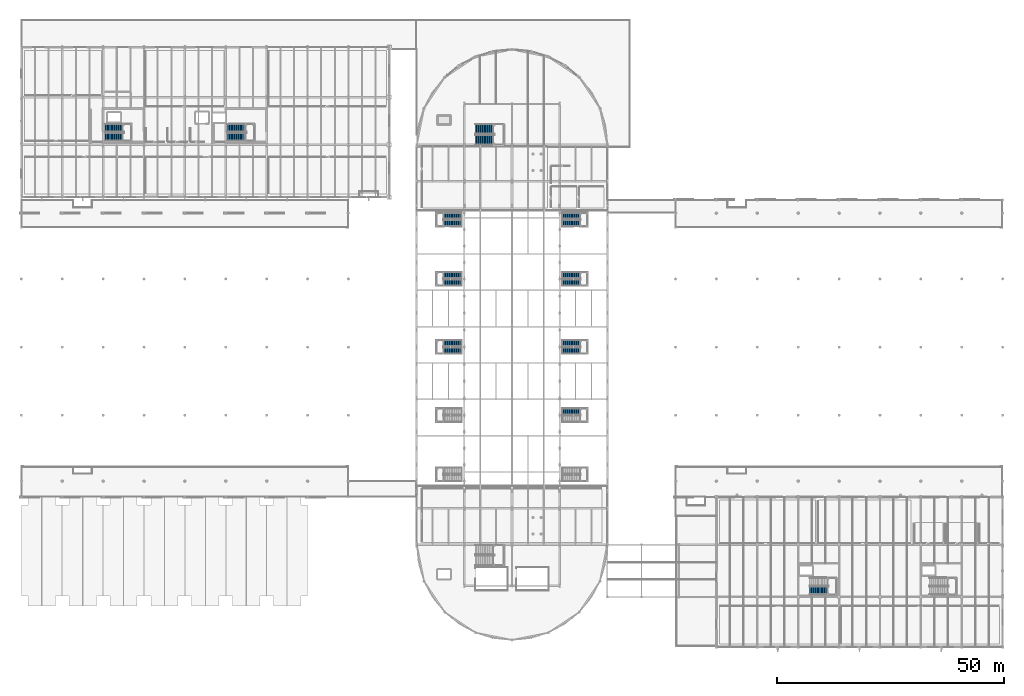
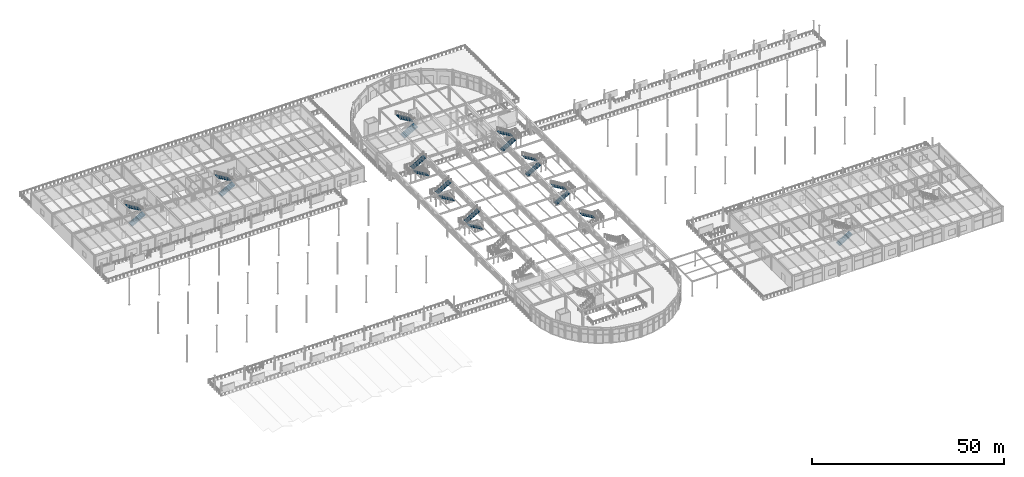
# One storey, part 90 of 143: 20 stair flights, 11 elements without a shape of their own.
"""IFC4 building model written with IfcOpenShell, lengths in metres."""

from ifc_helpers import new_model, si_unit, direction, frame, origin, place, context, subcontext, project, spatial, polyline, outline, extrude, material, type_object, element, aggregate, save


model = new_model("IFC4")

# Units and contexts
model_context = context("Model", 3, precision=1e-05, world=origin(), true_north=direction((0.0, 1.0)))
body_context = subcontext(model_context, "Body", "Model", "MODEL_VIEW")
ifc_project = project(units=[si_unit("LENGTHUNIT", "METRE"), si_unit("AREAUNIT", "SQUARE_METRE"), si_unit("VOLUMEUNIT", "CUBIC_METRE"), si_unit("PLANEANGLEUNIT", "RADIAN"), si_unit("MASSUNIT", "GRAM", prefix="KILO")], contexts=[model_context])

# Site, building, storey
site_placement = place(None, origin())
site = spatial("IfcSite", under=ifc_project, at=site_placement, CompositionType="ELEMENT")
building_placement = place(site_placement, origin())
building = spatial("IfcBuilding", under=site, at=building_placement, Name="Marlcrest Central Station", CompositionType="ELEMENT")
storey_placement = place(building_placement, frame((0.0, 0.0, 4.800048828125)))
storey = spatial("IfcBuildingStorey", under=building, at=storey_placement, Name="L01", CompositionType="ELEMENT", Elevation=4.800048828125)

# Stair, stair flight
ifc_material = material(Name="Concrete C35/45", Category="concrete")
stair_type_1 = type_object("IfcStairType", Name="ST-HTP", PredefinedType="HALF_TURN_STAIR", material=ifc_material)
stair_1_placement = place(storey_placement, origin())
stair_1 = element("IfcStair", 1, at=stair_1_placement, inside=storey, type_object=stair_type_1, Name="ST-P2EU", PredefinedType="HALF_TURN_STAIR")
stair_flight_type_1 = type_object("IfcStairFlightType", Name="SF-145", PredefinedType="STRAIGHT", material=ifc_material)
stair_flight_1_placement = place(storey_placement, frame((123.06005859375, 51.804931640625, 2.5), z_axis=(0.0, 0.0, 1.0), x_axis=(-1.0, 0.0, 0.0)))
stair_flight_1 = element("IfcStairFlight", 2, at=stair_flight_1_placement, type_object=stair_flight_type_1, Name="ST-P2EU-F2", NumberOfRisers=15, NumberOfTreads=14, PredefinedType="STRAIGHT", RiserHeight=0.166667, TreadLength=0.285, context=body_context, shape_type="SweptSolid", body=[
    extrude(outline(polyline([(0.0, 0.0), (0.0, 0.166748046875), (0.284912109375, 0.166748046875), (0.284912109375, 0.333251953125), (0.570068359375, 0.333251953125), (0.570068359375, 0.5), (0.85498046875, 0.5), (0.85498046875, 0.666748046875), (1.139892578125, 0.666748046875), (1.139892578125, 0.833251953125), (1.425048828125, 0.833251953125), (1.425048828125, 1.0), (1.7099609375, 1.0), (1.7099609375, 1.166748046875), (1.9951171875, 1.166748046875), (1.9951171875, 1.333251953125), (2.280029296875, 1.333251953125), (2.280029296875, 1.5), (2.56494140625, 1.5), (2.56494140625, 1.666748046875), (2.85009765625, 1.666748046875), (2.85009765625, 1.833251953125), (3.135009765625, 1.833251953125), (3.135009765625, 2.0), (3.419921875, 2.0), (3.419921875, 2.166748046875), (3.705078125, 2.166748046875), (3.705078125, 2.333251953125), (3.989990234375, 2.333251953125), (3.989990234375, 2.5), (3.989990234375, 2.148193359375), (0.31689453125, 0.0), (0.0, 0.0)])), frame((0.0, 0.72509765625, 0.0), z_axis=(0.0, -1.0, 0.0), x_axis=(1.0, 0.0, 0.0)), (0.0, 0.0, 1.0), 1.449951171875),
])
aggregate(stair_1, [stair_flight_1])

# Stair, stair flights
stair_2_placement = place(storey_placement, origin())
stair_2 = element("IfcStair", 3, at=stair_2_placement, inside=storey, type_object=stair_type_1, Name="ST-P3WU", PredefinedType="HALF_TURN_STAIR")
stair_flight_2_placement = place(storey_placement, frame((96.929931640625, 65.195068359375, 0.0), z_axis=(0.0, 0.0, 1.0), x_axis=(-1.0, 0.0, 0.0)))
stair_flight_2 = element("IfcStairFlight", 4, at=stair_flight_2_placement, type_object=stair_flight_type_1, Name="ST-P3WU-F1", NumberOfRisers=15, NumberOfTreads=14, PredefinedType="STRAIGHT", RiserHeight=0.166667, TreadLength=0.285, context=body_context, shape_type="SweptSolid", body=[
    extrude(outline(polyline([(0.0, 0.0), (0.0, 0.166748046875), (0.284912109375, 0.166748046875), (0.284912109375, 0.333251953125), (0.570068359375, 0.333251953125), (0.570068359375, 0.5), (0.85498046875, 0.5), (0.85498046875, 0.666748046875), (1.139892578125, 0.666748046875), (1.139892578125, 0.833251953125), (1.425048828125, 0.833251953125), (1.425048828125, 1.0), (1.7099609375, 1.0), (1.7099609375, 1.166748046875), (1.9951171875, 1.166748046875), (1.9951171875, 1.333251953125), (2.280029296875, 1.333251953125), (2.280029296875, 1.5), (2.56494140625, 1.5), (2.56494140625, 1.666748046875), (2.85009765625, 1.666748046875), (2.85009765625, 1.833251953125), (3.135009765625, 1.833251953125), (3.135009765625, 2.0), (3.419921875, 2.0), (3.419921875, 2.166748046875), (3.705078125, 2.166748046875), (3.705078125, 2.333251953125), (3.989990234375, 2.333251953125), (3.989990234375, 2.5), (3.989990234375, 2.148193359375), (0.31689453125, 0.0), (0.0, 0.0)])), frame((0.0, 0.72509765625, 0.0), z_axis=(0.0, -1.0, 0.0), x_axis=(1.0, 0.0, 0.0)), (0.0, 0.0, 1.0), 1.449951171875),
])
stair_flight_3_placement = place(storey_placement, frame((92.93994140625, 66.804931640625, 2.5), z_axis=(0.0, 0.0, 1.0), x_axis=(1.0, 0.0, 0.0)))
stair_flight_3 = element("IfcStairFlight", 5, at=stair_flight_3_placement, type_object=stair_flight_type_1, Name="ST-P3WU-F2", NumberOfRisers=15, NumberOfTreads=14, PredefinedType="STRAIGHT", RiserHeight=0.166667, TreadLength=0.285, context=body_context, shape_type="SweptSolid", body=[
    extrude(outline(polyline([(0.0, 0.0), (0.0, 0.166748046875), (0.284912109375, 0.166748046875), (0.284912109375, 0.333251953125), (0.570068359375, 0.333251953125), (0.570068359375, 0.5), (0.85498046875, 0.5), (0.85498046875, 0.666748046875), (1.139892578125, 0.666748046875), (1.139892578125, 0.833251953125), (1.425048828125, 0.833251953125), (1.425048828125, 1.0), (1.7099609375, 1.0), (1.7099609375, 1.166748046875), (1.9951171875, 1.166748046875), (1.9951171875, 1.333251953125), (2.280029296875, 1.333251953125), (2.280029296875, 1.5), (2.56494140625, 1.5), (2.56494140625, 1.666748046875), (2.85009765625, 1.666748046875), (2.85009765625, 1.833251953125), (3.135009765625, 1.833251953125), (3.135009765625, 2.0), (3.419921875, 2.0), (3.419921875, 2.166748046875), (3.705078125, 2.166748046875), (3.705078125, 2.333251953125), (3.989990234375, 2.333251953125), (3.989990234375, 2.5), (3.989990234375, 2.148193359375), (0.31689453125, 0.0), (0.0, 0.0)])), frame((0.0, 0.72509765625, 0.0), z_axis=(0.0, -1.0, 0.0), x_axis=(1.0, 0.0, 0.0)), (0.0, 0.0, 1.0), 1.449951171875),
])
aggregate(stair_2, [stair_flight_2, stair_flight_3])

stair_3_placement = place(storey_placement, origin())
stair_3 = element("IfcStair", 6, at=stair_3_placement, inside=storey, type_object=stair_type_1, Name="ST-P3EU", PredefinedType="HALF_TURN_STAIR")
stair_flight_4_placement = place(storey_placement, frame((119.070068359375, 65.195068359375, 0.0), z_axis=(0.0, 0.0, 1.0), x_axis=(1.0, 0.0, 0.0)))
stair_flight_4 = element("IfcStairFlight", 7, at=stair_flight_4_placement, type_object=stair_flight_type_1, Name="ST-P3EU-F1", NumberOfRisers=15, NumberOfTreads=14, PredefinedType="STRAIGHT", RiserHeight=0.166667, TreadLength=0.285, context=body_context, shape_type="SweptSolid", body=[
    extrude(outline(polyline([(0.0, 0.0), (0.0, 0.166748046875), (0.284912109375, 0.166748046875), (0.284912109375, 0.333251953125), (0.570068359375, 0.333251953125), (0.570068359375, 0.5), (0.85498046875, 0.5), (0.85498046875, 0.666748046875), (1.139892578125, 0.666748046875), (1.139892578125, 0.833251953125), (1.425048828125, 0.833251953125), (1.425048828125, 1.0), (1.7099609375, 1.0), (1.7099609375, 1.166748046875), (1.9951171875, 1.166748046875), (1.9951171875, 1.333251953125), (2.280029296875, 1.333251953125), (2.280029296875, 1.5), (2.56494140625, 1.5), (2.56494140625, 1.666748046875), (2.85009765625, 1.666748046875), (2.85009765625, 1.833251953125), (3.135009765625, 1.833251953125), (3.135009765625, 2.0), (3.419921875, 2.0), (3.419921875, 2.166748046875), (3.705078125, 2.166748046875), (3.705078125, 2.333251953125), (3.989990234375, 2.333251953125), (3.989990234375, 2.5), (3.989990234375, 2.148193359375), (0.31689453125, 0.0), (0.0, 0.0)])), frame((0.0, 0.72509765625, 0.0), z_axis=(0.0, -1.0, 0.0), x_axis=(1.0, 0.0, 0.0)), (0.0, 0.0, 1.0), 1.449951171875),
])
stair_flight_5_placement = place(storey_placement, frame((123.06005859375, 66.804931640625, 2.5), z_axis=(0.0, 0.0, 1.0), x_axis=(-1.0, 0.0, 0.0)))
stair_flight_5 = element("IfcStairFlight", 8, at=stair_flight_5_placement, type_object=stair_flight_type_1, Name="ST-P3EU-F2", NumberOfRisers=15, NumberOfTreads=14, PredefinedType="STRAIGHT", RiserHeight=0.166667, TreadLength=0.285, context=body_context, shape_type="SweptSolid", body=[
    extrude(outline(polyline([(0.0, 0.0), (0.0, 0.166748046875), (0.284912109375, 0.166748046875), (0.284912109375, 0.333251953125), (0.570068359375, 0.333251953125), (0.570068359375, 0.5), (0.85498046875, 0.5), (0.85498046875, 0.666748046875), (1.139892578125, 0.666748046875), (1.139892578125, 0.833251953125), (1.425048828125, 0.833251953125), (1.425048828125, 1.0), (1.7099609375, 1.0), (1.7099609375, 1.166748046875), (1.9951171875, 1.166748046875), (1.9951171875, 1.333251953125), (2.280029296875, 1.333251953125), (2.280029296875, 1.5), (2.56494140625, 1.5), (2.56494140625, 1.666748046875), (2.85009765625, 1.666748046875), (2.85009765625, 1.833251953125), (3.135009765625, 1.833251953125), (3.135009765625, 2.0), (3.419921875, 2.0), (3.419921875, 2.166748046875), (3.705078125, 2.166748046875), (3.705078125, 2.333251953125), (3.989990234375, 2.333251953125), (3.989990234375, 2.5), (3.989990234375, 2.148193359375), (0.31689453125, 0.0), (0.0, 0.0)])), frame((0.0, 0.72509765625, 0.0), z_axis=(0.0, -1.0, 0.0), x_axis=(1.0, 0.0, 0.0)), (0.0, 0.0, 1.0), 1.449951171875),
])
aggregate(stair_3, [stair_flight_4, stair_flight_5])

stair_4_placement = place(storey_placement, origin())
stair_4 = element("IfcStair", 9, at=stair_4_placement, inside=storey, type_object=stair_type_1, Name="ST-P4WU", PredefinedType="HALF_TURN_STAIR")
stair_flight_6_placement = place(storey_placement, frame((96.929931640625, 80.195068359375, 0.0), z_axis=(0.0, 0.0, 1.0), x_axis=(-1.0, 0.0, 0.0)))
stair_flight_6 = element("IfcStairFlight", 10, at=stair_flight_6_placement, type_object=stair_flight_type_1, Name="ST-P4WU-F1", NumberOfRisers=15, NumberOfTreads=14, PredefinedType="STRAIGHT", RiserHeight=0.166667, TreadLength=0.285, context=body_context, shape_type="SweptSolid", body=[
    extrude(outline(polyline([(0.0, 0.0), (0.0, 0.166748046875), (0.284912109375, 0.166748046875), (0.284912109375, 0.333251953125), (0.570068359375, 0.333251953125), (0.570068359375, 0.5), (0.85498046875, 0.5), (0.85498046875, 0.666748046875), (1.139892578125, 0.666748046875), (1.139892578125, 0.833251953125), (1.425048828125, 0.833251953125), (1.425048828125, 1.0), (1.7099609375, 1.0), (1.7099609375, 1.166748046875), (1.9951171875, 1.166748046875), (1.9951171875, 1.333251953125), (2.280029296875, 1.333251953125), (2.280029296875, 1.5), (2.56494140625, 1.5), (2.56494140625, 1.666748046875), (2.85009765625, 1.666748046875), (2.85009765625, 1.833251953125), (3.135009765625, 1.833251953125), (3.135009765625, 2.0), (3.419921875, 2.0), (3.419921875, 2.166748046875), (3.705078125, 2.166748046875), (3.705078125, 2.333251953125), (3.989990234375, 2.333251953125), (3.989990234375, 2.5), (3.989990234375, 2.148193359375), (0.31689453125, 0.0), (0.0, 0.0)])), frame((0.0, 0.72509765625, 0.0), z_axis=(0.0, -1.0, 0.0), x_axis=(1.0, 0.0, 0.0)), (0.0, 0.0, 1.0), 1.449951171875),
])
stair_flight_7_placement = place(storey_placement, frame((92.93994140625, 81.804931640625, 2.5), z_axis=(0.0, 0.0, 1.0), x_axis=(1.0, 0.0, 0.0)))
stair_flight_7 = element("IfcStairFlight", 11, at=stair_flight_7_placement, type_object=stair_flight_type_1, Name="ST-P4WU-F2", NumberOfRisers=15, NumberOfTreads=14, PredefinedType="STRAIGHT", RiserHeight=0.166667, TreadLength=0.285, context=body_context, shape_type="SweptSolid", body=[
    extrude(outline(polyline([(0.0, 0.0), (0.0, 0.166748046875), (0.284912109375, 0.166748046875), (0.284912109375, 0.333251953125), (0.570068359375, 0.333251953125), (0.570068359375, 0.5), (0.85498046875, 0.5), (0.85498046875, 0.666748046875), (1.139892578125, 0.666748046875), (1.139892578125, 0.833251953125), (1.425048828125, 0.833251953125), (1.425048828125, 1.0), (1.7099609375, 1.0), (1.7099609375, 1.166748046875), (1.9951171875, 1.166748046875), (1.9951171875, 1.333251953125), (2.280029296875, 1.333251953125), (2.280029296875, 1.5), (2.56494140625, 1.5), (2.56494140625, 1.666748046875), (2.85009765625, 1.666748046875), (2.85009765625, 1.833251953125), (3.135009765625, 1.833251953125), (3.135009765625, 2.0), (3.419921875, 2.0), (3.419921875, 2.166748046875), (3.705078125, 2.166748046875), (3.705078125, 2.333251953125), (3.989990234375, 2.333251953125), (3.989990234375, 2.5), (3.989990234375, 2.148193359375), (0.31689453125, 0.0), (0.0, 0.0)])), frame((0.0, 0.72509765625, 0.0), z_axis=(0.0, -1.0, 0.0), x_axis=(1.0, 0.0, 0.0)), (0.0, 0.0, 1.0), 1.449951171875),
])
aggregate(stair_4, [stair_flight_6, stair_flight_7])

stair_5_placement = place(storey_placement, origin())
stair_5 = element("IfcStair", 12, at=stair_5_placement, inside=storey, type_object=stair_type_1, Name="ST-P4EU", PredefinedType="HALF_TURN_STAIR")
stair_flight_8_placement = place(storey_placement, frame((119.070068359375, 80.195068359375, 0.0), z_axis=(0.0, 0.0, 1.0), x_axis=(1.0, 0.0, 0.0)))
stair_flight_8 = element("IfcStairFlight", 13, at=stair_flight_8_placement, type_object=stair_flight_type_1, Name="ST-P4EU-F1", NumberOfRisers=15, NumberOfTreads=14, PredefinedType="STRAIGHT", RiserHeight=0.166667, TreadLength=0.285, context=body_context, shape_type="SweptSolid", body=[
    extrude(outline(polyline([(0.0, 0.0), (0.0, 0.166748046875), (0.284912109375, 0.166748046875), (0.284912109375, 0.333251953125), (0.570068359375, 0.333251953125), (0.570068359375, 0.5), (0.85498046875, 0.5), (0.85498046875, 0.666748046875), (1.139892578125, 0.666748046875), (1.139892578125, 0.833251953125), (1.425048828125, 0.833251953125), (1.425048828125, 1.0), (1.7099609375, 1.0), (1.7099609375, 1.166748046875), (1.9951171875, 1.166748046875), (1.9951171875, 1.333251953125), (2.280029296875, 1.333251953125), (2.280029296875, 1.5), (2.56494140625, 1.5), (2.56494140625, 1.666748046875), (2.85009765625, 1.666748046875), (2.85009765625, 1.833251953125), (3.135009765625, 1.833251953125), (3.135009765625, 2.0), (3.419921875, 2.0), (3.419921875, 2.166748046875), (3.705078125, 2.166748046875), (3.705078125, 2.333251953125), (3.989990234375, 2.333251953125), (3.989990234375, 2.5), (3.989990234375, 2.148193359375), (0.31689453125, 0.0), (0.0, 0.0)])), frame((0.0, 0.72509765625, 0.0), z_axis=(0.0, -1.0, 0.0), x_axis=(1.0, 0.0, 0.0)), (0.0, 0.0, 1.0), 1.449951171875),
])
stair_flight_9_placement = place(storey_placement, frame((123.06005859375, 81.804931640625, 2.5), z_axis=(0.0, 0.0, 1.0), x_axis=(-1.0, 0.0, 0.0)))
stair_flight_9 = element("IfcStairFlight", 14, at=stair_flight_9_placement, type_object=stair_flight_type_1, Name="ST-P4EU-F2", NumberOfRisers=15, NumberOfTreads=14, PredefinedType="STRAIGHT", RiserHeight=0.166667, TreadLength=0.285, context=body_context, shape_type="SweptSolid", body=[
    extrude(outline(polyline([(0.0, 0.0), (0.0, 0.166748046875), (0.284912109375, 0.166748046875), (0.284912109375, 0.333251953125), (0.570068359375, 0.333251953125), (0.570068359375, 0.5), (0.85498046875, 0.5), (0.85498046875, 0.666748046875), (1.139892578125, 0.666748046875), (1.139892578125, 0.833251953125), (1.425048828125, 0.833251953125), (1.425048828125, 1.0), (1.7099609375, 1.0), (1.7099609375, 1.166748046875), (1.9951171875, 1.166748046875), (1.9951171875, 1.333251953125), (2.280029296875, 1.333251953125), (2.280029296875, 1.5), (2.56494140625, 1.5), (2.56494140625, 1.666748046875), (2.85009765625, 1.666748046875), (2.85009765625, 1.833251953125), (3.135009765625, 1.833251953125), (3.135009765625, 2.0), (3.419921875, 2.0), (3.419921875, 2.166748046875), (3.705078125, 2.166748046875), (3.705078125, 2.333251953125), (3.989990234375, 2.333251953125), (3.989990234375, 2.5), (3.989990234375, 2.148193359375), (0.31689453125, 0.0), (0.0, 0.0)])), frame((0.0, 0.72509765625, 0.0), z_axis=(0.0, -1.0, 0.0), x_axis=(1.0, 0.0, 0.0)), (0.0, 0.0, 1.0), 1.449951171875),
])
aggregate(stair_5, [stair_flight_8, stair_flight_9])

stair_6_placement = place(storey_placement, origin())
stair_6 = element("IfcStair", 15, at=stair_6_placement, inside=storey, type_object=stair_type_1, Name="ST-P5WU", PredefinedType="HALF_TURN_STAIR")
stair_flight_10_placement = place(storey_placement, frame((96.929931640625, 93.2451171875, 0.0), z_axis=(0.0, 0.0, 1.0), x_axis=(-1.0, 0.0, 0.0)))
stair_flight_10 = element("IfcStairFlight", 16, at=stair_flight_10_placement, type_object=stair_flight_type_1, Name="ST-P5WU-F1", NumberOfRisers=15, NumberOfTreads=14, PredefinedType="STRAIGHT", RiserHeight=0.166667, TreadLength=0.285, context=body_context, shape_type="SweptSolid", body=[
    extrude(outline(polyline([(0.0, 0.0), (0.0, 0.166748046875), (0.284912109375, 0.166748046875), (0.284912109375, 0.333251953125), (0.570068359375, 0.333251953125), (0.570068359375, 0.5), (0.85498046875, 0.5), (0.85498046875, 0.666748046875), (1.139892578125, 0.666748046875), (1.139892578125, 0.833251953125), (1.425048828125, 0.833251953125), (1.425048828125, 1.0), (1.7099609375, 1.0), (1.7099609375, 1.166748046875), (1.9951171875, 1.166748046875), (1.9951171875, 1.333251953125), (2.280029296875, 1.333251953125), (2.280029296875, 1.5), (2.56494140625, 1.5), (2.56494140625, 1.666748046875), (2.85009765625, 1.666748046875), (2.85009765625, 1.833251953125), (3.135009765625, 1.833251953125), (3.135009765625, 2.0), (3.419921875, 2.0), (3.419921875, 2.166748046875), (3.705078125, 2.166748046875), (3.705078125, 2.333251953125), (3.989990234375, 2.333251953125), (3.989990234375, 2.5), (3.989990234375, 2.148193359375), (0.31689453125, 0.0), (0.0, 0.0)])), frame((0.0, 0.72509765625, 0.0), z_axis=(0.0, -1.0, 0.0), x_axis=(1.0, 0.0, 0.0)), (0.0, 0.0, 1.0), 1.449951171875),
])
stair_flight_11_placement = place(storey_placement, frame((92.93994140625, 94.85498046875, 2.5), z_axis=(0.0, 0.0, 1.0), x_axis=(1.0, 0.0, 0.0)))
stair_flight_11 = element("IfcStairFlight", 17, at=stair_flight_11_placement, type_object=stair_flight_type_1, Name="ST-P5WU-F2", NumberOfRisers=15, NumberOfTreads=14, PredefinedType="STRAIGHT", RiserHeight=0.166667, TreadLength=0.285, context=body_context, shape_type="SweptSolid", body=[
    extrude(outline(polyline([(0.0, 0.0), (0.0, 0.166748046875), (0.284912109375, 0.166748046875), (0.284912109375, 0.333251953125), (0.570068359375, 0.333251953125), (0.570068359375, 0.5), (0.85498046875, 0.5), (0.85498046875, 0.666748046875), (1.139892578125, 0.666748046875), (1.139892578125, 0.833251953125), (1.425048828125, 0.833251953125), (1.425048828125, 1.0), (1.7099609375, 1.0), (1.7099609375, 1.166748046875), (1.9951171875, 1.166748046875), (1.9951171875, 1.333251953125), (2.280029296875, 1.333251953125), (2.280029296875, 1.5), (2.56494140625, 1.5), (2.56494140625, 1.666748046875), (2.85009765625, 1.666748046875), (2.85009765625, 1.833251953125), (3.135009765625, 1.833251953125), (3.135009765625, 2.0), (3.419921875, 2.0), (3.419921875, 2.166748046875), (3.705078125, 2.166748046875), (3.705078125, 2.333251953125), (3.989990234375, 2.333251953125), (3.989990234375, 2.5), (3.989990234375, 2.148193359375), (0.31689453125, 0.0), (0.0, 0.0)])), frame((0.0, 0.72509765625, 0.0), z_axis=(0.0, -1.0, 0.0), x_axis=(1.0, 0.0, 0.0)), (0.0, 0.0, 1.0), 1.449951171875),
])
aggregate(stair_6, [stair_flight_10, stair_flight_11])

stair_7_placement = place(storey_placement, origin())
stair_7 = element("IfcStair", 18, at=stair_7_placement, inside=storey, type_object=stair_type_1, Name="ST-P5EU", PredefinedType="HALF_TURN_STAIR")
stair_flight_12_placement = place(storey_placement, frame((119.070068359375, 93.2451171875, 0.0), z_axis=(0.0, 0.0, 1.0), x_axis=(1.0, 0.0, 0.0)))
stair_flight_12 = element("IfcStairFlight", 19, at=stair_flight_12_placement, type_object=stair_flight_type_1, Name="ST-P5EU-F1", NumberOfRisers=15, NumberOfTreads=14, PredefinedType="STRAIGHT", RiserHeight=0.166667, TreadLength=0.285, context=body_context, shape_type="SweptSolid", body=[
    extrude(outline(polyline([(0.0, 0.0), (0.0, 0.166748046875), (0.284912109375, 0.166748046875), (0.284912109375, 0.333251953125), (0.570068359375, 0.333251953125), (0.570068359375, 0.5), (0.85498046875, 0.5), (0.85498046875, 0.666748046875), (1.139892578125, 0.666748046875), (1.139892578125, 0.833251953125), (1.425048828125, 0.833251953125), (1.425048828125, 1.0), (1.7099609375, 1.0), (1.7099609375, 1.166748046875), (1.9951171875, 1.166748046875), (1.9951171875, 1.333251953125), (2.280029296875, 1.333251953125), (2.280029296875, 1.5), (2.56494140625, 1.5), (2.56494140625, 1.666748046875), (2.85009765625, 1.666748046875), (2.85009765625, 1.833251953125), (3.135009765625, 1.833251953125), (3.135009765625, 2.0), (3.419921875, 2.0), (3.419921875, 2.166748046875), (3.705078125, 2.166748046875), (3.705078125, 2.333251953125), (3.989990234375, 2.333251953125), (3.989990234375, 2.5), (3.989990234375, 2.148193359375), (0.31689453125, 0.0), (0.0, 0.0)])), frame((0.0, 0.72509765625, 0.0), z_axis=(0.0, -1.0, 0.0), x_axis=(1.0, 0.0, 0.0)), (0.0, 0.0, 1.0), 1.449951171875),
])
stair_flight_13_placement = place(storey_placement, frame((123.06005859375, 94.85498046875, 2.5), z_axis=(0.0, 0.0, 1.0), x_axis=(-1.0, 0.0, 0.0)))
stair_flight_13 = element("IfcStairFlight", 20, at=stair_flight_13_placement, type_object=stair_flight_type_1, Name="ST-P5EU-F2", NumberOfRisers=15, NumberOfTreads=14, PredefinedType="STRAIGHT", RiserHeight=0.166667, TreadLength=0.285, context=body_context, shape_type="SweptSolid", body=[
    extrude(outline(polyline([(0.0, 0.0), (0.0, 0.166748046875), (0.284912109375, 0.166748046875), (0.284912109375, 0.333251953125), (0.570068359375, 0.333251953125), (0.570068359375, 0.5), (0.85498046875, 0.5), (0.85498046875, 0.666748046875), (1.139892578125, 0.666748046875), (1.139892578125, 0.833251953125), (1.425048828125, 0.833251953125), (1.425048828125, 1.0), (1.7099609375, 1.0), (1.7099609375, 1.166748046875), (1.9951171875, 1.166748046875), (1.9951171875, 1.333251953125), (2.280029296875, 1.333251953125), (2.280029296875, 1.5), (2.56494140625, 1.5), (2.56494140625, 1.666748046875), (2.85009765625, 1.666748046875), (2.85009765625, 1.833251953125), (3.135009765625, 1.833251953125), (3.135009765625, 2.0), (3.419921875, 2.0), (3.419921875, 2.166748046875), (3.705078125, 2.166748046875), (3.705078125, 2.333251953125), (3.989990234375, 2.333251953125), (3.989990234375, 2.5), (3.989990234375, 2.148193359375), (0.31689453125, 0.0), (0.0, 0.0)])), frame((0.0, 0.72509765625, 0.0), z_axis=(0.0, -1.0, 0.0), x_axis=(1.0, 0.0, 0.0)), (0.0, 0.0, 1.0), 1.449951171875),
])
aggregate(stair_7, [stair_flight_12, stair_flight_13])

# Stair, stair flight
stair_type_2 = type_object("IfcStairType", Name="ST-HTS", PredefinedType="HALF_TURN_STAIR", material=ifc_material)
stair_8_placement = place(storey_placement, origin())
stair_8 = element("IfcStair", 21, at=stair_8_placement, inside=storey, type_object=stair_type_2, Name="ST-R11", PredefinedType="HALF_TURN_STAIR")
stair_flight_type_2 = type_object("IfcStairFlightType", Name="SF-180", PredefinedType="STRAIGHT", material=ifc_material)
stair_flight_14_placement = place(storey_placement, frame((173.52001953125, 12.3701171875, 0.0), z_axis=(0.0, 0.0, 1.0), x_axis=(1.0, 0.0, 0.0)))
stair_flight_14 = element("IfcStairFlight", 22, at=stair_flight_14_placement, type_object=stair_flight_type_2, Name="ST-R11-F1", NumberOfRisers=15, NumberOfTreads=14, PredefinedType="STRAIGHT", RiserHeight=0.166666667, TreadLength=0.285, context=body_context, shape_type="SweptSolid", body=[
    extrude(outline(polyline([(0.0, 0.0), (0.0, 0.166748046875), (0.284912109375, 0.166748046875), (0.284912109375, 0.333251953125), (0.570068359375, 0.333251953125), (0.570068359375, 0.5), (0.85498046875, 0.5), (0.85498046875, 0.666748046875), (1.139892578125, 0.666748046875), (1.139892578125, 0.833251953125), (1.425048828125, 0.833251953125), (1.425048828125, 1.0), (1.7099609375, 1.0), (1.7099609375, 1.166748046875), (1.9951171875, 1.166748046875), (1.9951171875, 1.333251953125), (2.280029296875, 1.333251953125), (2.280029296875, 1.5), (2.56494140625, 1.5), (2.56494140625, 1.666748046875), (2.85009765625, 1.666748046875), (2.85009765625, 1.833251953125), (3.135009765625, 1.833251953125), (3.135009765625, 2.0), (3.419921875, 2.0), (3.419921875, 2.166748046875), (3.705078125, 2.166748046875), (3.705078125, 2.333251953125), (3.989990234375, 2.333251953125), (3.989990234375, 2.5), (3.989990234375, 2.14208984375), (0.326904296875, 0.0), (0.0, 0.0)])), frame((0.0, 0.89990234375, 0.0), z_axis=(0.0, -1.0, 0.0), x_axis=(1.0, 0.0, 0.0)), (0.0, 0.0, 1.0), 1.800048828125),
])
aggregate(stair_8, [stair_flight_14])

# Stair, stair flights
stair_9_placement = place(storey_placement, origin())
stair_9 = element("IfcStair", 23, at=stair_9_placement, inside=storey, type_object=stair_type_2, Name="ST-W11", PredefinedType="HALF_TURN_STAIR")
stair_flight_15_placement = place(storey_placement, frame((18.3701171875, 112.27001953125, 0.0), z_axis=(0.0, 0.0, 1.0), x_axis=(1.0, 0.0, 0.0)))
stair_flight_15 = element("IfcStairFlight", 24, at=stair_flight_15_placement, type_object=stair_flight_type_2, Name="ST-W11-F1", NumberOfRisers=15, NumberOfTreads=14, PredefinedType="STRAIGHT", RiserHeight=0.166666667, TreadLength=0.285, context=body_context, shape_type="SweptSolid", body=[
    extrude(outline(polyline([(0.0, 0.0), (0.0, 0.166748046875), (0.284912109375, 0.166748046875), (0.284912109375, 0.333251953125), (0.570068359375, 0.333251953125), (0.570068359375, 0.5), (0.85498046875, 0.5), (0.85498046875, 0.666748046875), (1.139892578125, 0.666748046875), (1.139892578125, 0.833251953125), (1.425048828125, 0.833251953125), (1.425048828125, 1.0), (1.7099609375, 1.0), (1.7099609375, 1.166748046875), (1.9951171875, 1.166748046875), (1.9951171875, 1.333251953125), (2.280029296875, 1.333251953125), (2.280029296875, 1.5), (2.56494140625, 1.5), (2.56494140625, 1.666748046875), (2.85009765625, 1.666748046875), (2.85009765625, 1.833251953125), (3.135009765625, 1.833251953125), (3.135009765625, 2.0), (3.419921875, 2.0), (3.419921875, 2.166748046875), (3.705078125, 2.166748046875), (3.705078125, 2.333251953125), (3.989990234375, 2.333251953125), (3.989990234375, 2.5), (3.989990234375, 2.14208984375), (0.326904296875, 0.0), (0.0, 0.0)])), frame((0.0, 0.89990234375, 0.0), z_axis=(0.0, -1.0, 0.0), x_axis=(1.0, 0.0, 0.0)), (0.0, 0.0, 1.0), 1.800048828125),
])
stair_flight_16_placement = place(storey_placement, frame((22.360107421875, 114.22998046875, 2.5), z_axis=(0.0, 0.0, 1.0), x_axis=(-1.0, 0.0, 0.0)))
stair_flight_16 = element("IfcStairFlight", 25, at=stair_flight_16_placement, type_object=stair_flight_type_2, Name="ST-W11-F2", NumberOfRisers=15, NumberOfTreads=14, PredefinedType="STRAIGHT", RiserHeight=0.166666667, TreadLength=0.285, context=body_context, shape_type="SweptSolid", body=[
    extrude(outline(polyline([(0.0, 0.0), (0.0, 0.166748046875), (0.284912109375, 0.166748046875), (0.284912109375, 0.333251953125), (0.570068359375, 0.333251953125), (0.570068359375, 0.5), (0.85498046875, 0.5), (0.85498046875, 0.666748046875), (1.139892578125, 0.666748046875), (1.139892578125, 0.833251953125), (1.425048828125, 0.833251953125), (1.425048828125, 1.0), (1.7099609375, 1.0), (1.7099609375, 1.166748046875), (1.9951171875, 1.166748046875), (1.9951171875, 1.333251953125), (2.280029296875, 1.333251953125), (2.280029296875, 1.5), (2.56494140625, 1.5), (2.56494140625, 1.666748046875), (2.85009765625, 1.666748046875), (2.85009765625, 1.833251953125), (3.135009765625, 1.833251953125), (3.135009765625, 2.0), (3.419921875, 2.0), (3.419921875, 2.166748046875), (3.705078125, 2.166748046875), (3.705078125, 2.333251953125), (3.989990234375, 2.333251953125), (3.989990234375, 2.5), (3.989990234375, 2.14208984375), (0.326904296875, 0.0), (0.0, 0.0)])), frame((0.0, 0.89990234375, 0.0), z_axis=(0.0, -1.0, 0.0), x_axis=(1.0, 0.0, 0.0)), (0.0, 0.0, 1.0), 1.800048828125),
])
aggregate(stair_9, [stair_flight_15, stair_flight_16])

stair_10_placement = place(storey_placement, origin())
stair_10 = element("IfcStair", 26, at=stair_10_placement, inside=storey, type_object=stair_type_2, Name="ST-W21", PredefinedType="HALF_TURN_STAIR")
stair_flight_17_placement = place(storey_placement, frame((45.3701171875, 112.27001953125, 0.0), z_axis=(0.0, 0.0, 1.0), x_axis=(1.0, 0.0, 0.0)))
stair_flight_17 = element("IfcStairFlight", 27, at=stair_flight_17_placement, type_object=stair_flight_type_2, Name="ST-W21-F1", NumberOfRisers=15, NumberOfTreads=14, PredefinedType="STRAIGHT", RiserHeight=0.166666667, TreadLength=0.285, context=body_context, shape_type="SweptSolid", body=[
    extrude(outline(polyline([(0.0, 0.0), (0.0, 0.166748046875), (0.284912109375, 0.166748046875), (0.284912109375, 0.333251953125), (0.570068359375, 0.333251953125), (0.570068359375, 0.5), (0.85498046875, 0.5), (0.85498046875, 0.666748046875), (1.139892578125, 0.666748046875), (1.139892578125, 0.833251953125), (1.425048828125, 0.833251953125), (1.425048828125, 1.0), (1.7099609375, 1.0), (1.7099609375, 1.166748046875), (1.9951171875, 1.166748046875), (1.9951171875, 1.333251953125), (2.280029296875, 1.333251953125), (2.280029296875, 1.5), (2.56494140625, 1.5), (2.56494140625, 1.666748046875), (2.85009765625, 1.666748046875), (2.85009765625, 1.833251953125), (3.135009765625, 1.833251953125), (3.135009765625, 2.0), (3.419921875, 2.0), (3.419921875, 2.166748046875), (3.705078125, 2.166748046875), (3.705078125, 2.333251953125), (3.989990234375, 2.333251953125), (3.989990234375, 2.5), (3.989990234375, 2.14208984375), (0.326904296875, 0.0), (0.0, 0.0)])), frame((0.0, 0.89990234375, 0.0), z_axis=(0.0, -1.0, 0.0), x_axis=(1.0, 0.0, 0.0)), (0.0, 0.0, 1.0), 1.800048828125),
])
stair_flight_18_placement = place(storey_placement, frame((49.360107421875, 114.22998046875, 2.5), z_axis=(0.0, 0.0, 1.0), x_axis=(-1.0, 0.0, 0.0)))
stair_flight_18 = element("IfcStairFlight", 28, at=stair_flight_18_placement, type_object=stair_flight_type_2, Name="ST-W21-F2", NumberOfRisers=15, NumberOfTreads=14, PredefinedType="STRAIGHT", RiserHeight=0.166666667, TreadLength=0.285, context=body_context, shape_type="SweptSolid", body=[
    extrude(outline(polyline([(0.0, 0.0), (0.0, 0.166748046875), (0.284912109375, 0.166748046875), (0.284912109375, 0.333251953125), (0.570068359375, 0.333251953125), (0.570068359375, 0.5), (0.85498046875, 0.5), (0.85498046875, 0.666748046875), (1.139892578125, 0.666748046875), (1.139892578125, 0.833251953125), (1.425048828125, 0.833251953125), (1.425048828125, 1.0), (1.7099609375, 1.0), (1.7099609375, 1.166748046875), (1.9951171875, 1.166748046875), (1.9951171875, 1.333251953125), (2.280029296875, 1.333251953125), (2.280029296875, 1.5), (2.56494140625, 1.5), (2.56494140625, 1.666748046875), (2.85009765625, 1.666748046875), (2.85009765625, 1.833251953125), (3.135009765625, 1.833251953125), (3.135009765625, 2.0), (3.419921875, 2.0), (3.419921875, 2.166748046875), (3.705078125, 2.166748046875), (3.705078125, 2.333251953125), (3.989990234375, 2.333251953125), (3.989990234375, 2.5), (3.989990234375, 2.14208984375), (0.326904296875, 0.0), (0.0, 0.0)])), frame((0.0, 0.89990234375, 0.0), z_axis=(0.0, -1.0, 0.0), x_axis=(1.0, 0.0, 0.0)), (0.0, 0.0, 1.0), 1.800048828125),
])
aggregate(stair_10, [stair_flight_17, stair_flight_18])

stair_type_3 = type_object("IfcStairType", Name="ST-HTW", PredefinedType="HALF_TURN_STAIR", material=ifc_material)
stair_11_placement = place(storey_placement, origin())
stair_11 = element("IfcStair", 29, at=stair_11_placement, inside=storey, type_object=stair_type_3, Name="ST-N11", PredefinedType="HALF_TURN_STAIR")
stair_flight_type_3 = type_object("IfcStairFlightType", Name="SF-240", PredefinedType="STRAIGHT", material=ifc_material)
stair_flight_19_placement = place(storey_placement, frame((99.919921875, 111.6201171875, 0.0), z_axis=(0.0, 0.0, 1.0), x_axis=(1.0, 0.0, 0.0)))
stair_flight_19 = element("IfcStairFlight", 30, at=stair_flight_19_placement, type_object=stair_flight_type_3, Name="ST-N11-F1", NumberOfRisers=15, NumberOfTreads=14, PredefinedType="STRAIGHT", RiserHeight=0.166666667, TreadLength=0.285, context=body_context, shape_type="SweptSolid", body=[
    extrude(outline(polyline([(0.0, 0.0), (0.0, 0.166748046875), (0.284912109375, 0.166748046875), (0.284912109375, 0.333251953125), (0.570068359375, 0.333251953125), (0.570068359375, 0.5), (0.85498046875, 0.5), (0.85498046875, 0.666748046875), (1.139892578125, 0.666748046875), (1.139892578125, 0.833251953125), (1.425048828125, 0.833251953125), (1.425048828125, 1.0), (1.7099609375, 1.0), (1.7099609375, 1.166748046875), (1.9951171875, 1.166748046875), (1.9951171875, 1.333251953125), (2.280029296875, 1.333251953125), (2.280029296875, 1.5), (2.56494140625, 1.5), (2.56494140625, 1.666748046875), (2.85009765625, 1.666748046875), (2.85009765625, 1.833251953125), (3.135009765625, 1.833251953125), (3.135009765625, 2.0), (3.419921875, 2.0), (3.419921875, 2.166748046875), (3.705078125, 2.166748046875), (3.705078125, 2.333251953125), (3.989990234375, 2.333251953125), (3.989990234375, 2.5), (3.989990234375, 2.14208984375), (0.326904296875, 0.0), (0.0, 0.0)])), frame((0.0, 1.10009765625, 0.0), z_axis=(0.0, -1.0, 0.0), x_axis=(1.0, 0.0, 0.0)), (0.0, 0.0, 1.0), 2.199951171875),
])
stair_flight_20_placement = place(storey_placement, frame((103.909912109375, 113.97998046875, 2.5), z_axis=(0.0, 0.0, 1.0), x_axis=(-1.0, 0.0, 0.0)))
stair_flight_20 = element("IfcStairFlight", 31, at=stair_flight_20_placement, type_object=stair_flight_type_3, Name="ST-N11-F2", NumberOfRisers=15, NumberOfTreads=14, PredefinedType="STRAIGHT", RiserHeight=0.166666667, TreadLength=0.285, context=body_context, shape_type="SweptSolid", body=[
    extrude(outline(polyline([(0.0, 0.0), (0.0, 0.166748046875), (0.284912109375, 0.166748046875), (0.284912109375, 0.333251953125), (0.570068359375, 0.333251953125), (0.570068359375, 0.5), (0.85498046875, 0.5), (0.85498046875, 0.666748046875), (1.139892578125, 0.666748046875), (1.139892578125, 0.833251953125), (1.425048828125, 0.833251953125), (1.425048828125, 1.0), (1.7099609375, 1.0), (1.7099609375, 1.166748046875), (1.9951171875, 1.166748046875), (1.9951171875, 1.333251953125), (2.280029296875, 1.333251953125), (2.280029296875, 1.5), (2.56494140625, 1.5), (2.56494140625, 1.666748046875), (2.85009765625, 1.666748046875), (2.85009765625, 1.833251953125), (3.135009765625, 1.833251953125), (3.135009765625, 2.0), (3.419921875, 2.0), (3.419921875, 2.166748046875), (3.705078125, 2.166748046875), (3.705078125, 2.333251953125), (3.989990234375, 2.333251953125), (3.989990234375, 2.5), (3.989990234375, 2.14208984375), (0.326904296875, 0.0), (0.0, 0.0)])), frame((0.0, 1.10009765625, 0.0), z_axis=(0.0, -1.0, 0.0), x_axis=(1.0, 0.0, 0.0)), (0.0, 0.0, 1.0), 2.199951171875),
])
aggregate(stair_11, [stair_flight_19, stair_flight_20])

save(model, "model.ifc")
